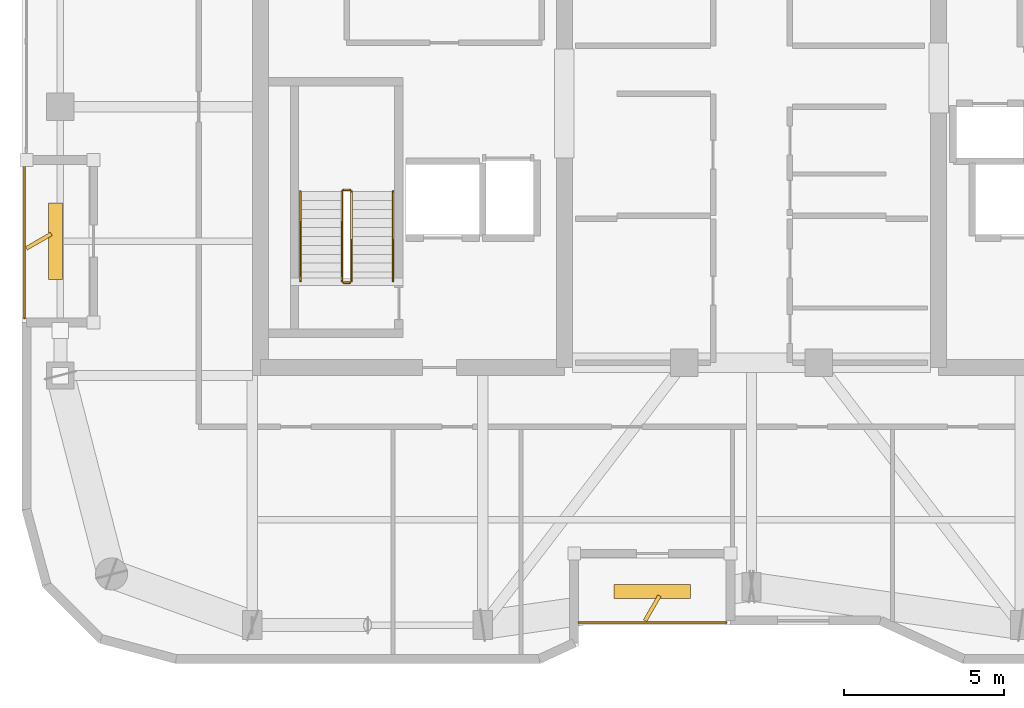
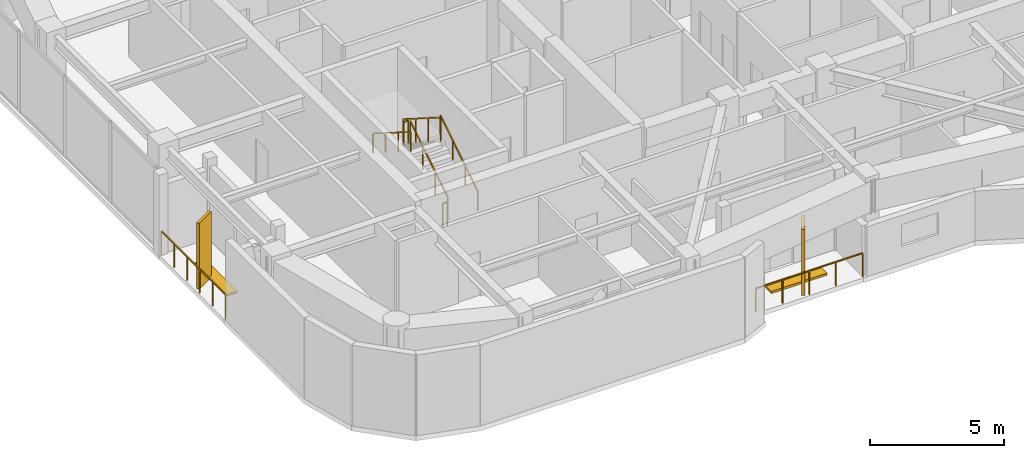
# One storey, part 14 of 15: 8 railings, 4 shading devices.
"""IFC4 building model written with IfcOpenShell, lengths in metres."""

from ifc_helpers import new_model, si_unit, direction, frame, origin, origin_2d, place, context, subcontext, project, spatial, rectangle, extrude, material, type_object, element, save


model = new_model("IFC4")

# Units and contexts
model_context = context("Model", 3, precision=1e-05, world=origin(), true_north=direction((0.0, 1.0)))
body_context = subcontext(model_context, "Body", "Model", "MODEL_VIEW")
ifc_project = project(units=[si_unit("LENGTHUNIT", "METRE"), si_unit("AREAUNIT", "SQUARE_METRE"), si_unit("VOLUMEUNIT", "CUBIC_METRE"), si_unit("PLANEANGLEUNIT", "RADIAN"), si_unit("MASSUNIT", "GRAM", prefix="KILO")], contexts=[model_context])

# Site, building, storey
site_placement = place(None, origin())
site = spatial("IfcSite", under=ifc_project, at=site_placement, CompositionType="ELEMENT")
building_placement = place(site_placement, origin())
building = spatial("IfcBuilding", under=site, at=building_placement, Name="Kiyonajd Concourse Tower", CompositionType="ELEMENT")
storey_placement = place(building_placement, frame((0.0, 0.0, 318.0)))
storey = spatial("IfcBuildingStorey", under=building, at=storey_placement, Name="L80", CompositionType="ELEMENT", Elevation=318.0)

# Railings
ifc_material_1 = material(Name="Thermally Broken Anodised Aluminium", Category="aluminium")
railing_type_1 = type_object("IfcRailingType", Name="RL-GRD-LOG", PredefinedType="GUARDRAIL", material=ifc_material_1)
railing_1_placement = place(storey_placement, frame((42.60009765625, 19.8798828125, 0.0)))
element("IfcRailing", 1, at=railing_1_placement, inside=storey, type_object=railing_type_1, Name="L80 Engawa Loggia Perimeter Guard LOG-S", PredefinedType="GUARDRAIL", context=body_context, shape_type="SweptSolid", body=[
    extrude(rectangle(XDim=0.048095703125, YDim=0.048095703125, at=origin_2d()), frame((0.0, 0.0, 1.076171875), z_axis=(1.0, 0.0, 0.0), x_axis=(0.0, 1.0, 0.0)), (0.0, 0.0, 1.0), 4.599853515625),
    extrude(rectangle(XDim=0.0419921875, YDim=0.0419921875, at=origin_2d()), origin(), (0.0, 0.0, 1.0), 1.052001953125),
    extrude(rectangle(XDim=0.0419921875, YDim=0.0419921875, at=origin_2d()), frame((1.14990234375, 0.0, 0.0)), (0.0, 0.0, 1.0), 1.052001953125),
    extrude(rectangle(XDim=0.0419921875, YDim=0.0419921875, at=origin_2d()), frame((2.2998046875, 0.0, 0.0)), (0.0, 0.0, 1.0), 1.052001953125),
    extrude(rectangle(XDim=0.0419921875, YDim=0.0419921875, at=origin_2d()), frame((3.449951171875, 0.0, 0.0)), (0.0, 0.0, 1.0), 1.052001953125),
    extrude(rectangle(XDim=0.0419921875, YDim=0.0419921875, at=origin_2d()), frame((4.599853515625, 0.0, 0.0)), (0.0, 0.0, 1.0), 1.052001953125),
])
railing_2_placement = place(storey_placement, frame((25.280029296875, 34.199951171875, 0.0)))
element("IfcRailing", 2, at=railing_2_placement, inside=storey, type_object=railing_type_1, Name="L80 Engawa Loggia Perimeter Guard LOG-W", PredefinedType="GUARDRAIL", context=body_context, shape_type="SweptSolid", body=[
    extrude(rectangle(XDim=0.048095703125, YDim=0.048095703125, at=origin_2d()), frame((0.0, 0.0, 1.076171875), z_axis=(0.0, -1.0, 0.0), x_axis=(1.0, 0.0, 0.0)), (0.0, 0.0, 1.0), 4.800048828125),
    extrude(rectangle(XDim=0.0419921875, YDim=0.0419921875, at=origin_2d()), origin(), (0.0, 0.0, 1.0), 1.052001953125),
    extrude(rectangle(XDim=0.0419921875, YDim=0.0419921875, at=origin_2d()), frame((0.0, -0.9599609375, 0.0)), (0.0, 0.0, 1.0), 1.052001953125),
    extrude(rectangle(XDim=0.0419921875, YDim=0.0419921875, at=origin_2d()), frame((0.0, -1.919921875, 0.0)), (0.0, 0.0, 1.0), 1.052001953125),
    extrude(rectangle(XDim=0.0419921875, YDim=0.0419921875, at=origin_2d()), frame((0.0, -2.880126953125, 0.0)), (0.0, 0.0, 1.0), 1.052001953125),
    extrude(rectangle(XDim=0.0419921875, YDim=0.0419921875, at=origin_2d()), frame((0.0, -3.840087890625, 0.0)), (0.0, 0.0, 1.0), 1.052001953125),
    extrude(rectangle(XDim=0.0419921875, YDim=0.0419921875, at=origin_2d()), frame((0.0, -4.800048828125, 0.0)), (0.0, 0.0, 1.0), 1.052001953125),
])
ifc_material_2 = material(Name="Steel ASTM A500 Grade C", Category="steel")
railing_type_2 = type_object("IfcRailingType", Name="RL-GRD-STR", PredefinedType="GUARDRAIL", material=ifc_material_2)
railing_3_placement = place(storey_placement, frame((35.5, 30.550048828125, 0.17724609375)))
element("IfcRailing", 3, at=railing_3_placement, inside=storey, type_object=railing_type_2, Name="L80 ST1 stair guard 1", PredefinedType="GUARDRAIL", context=body_context, shape_type="SweptSolid", body=[
    extrude(rectangle(XDim=0.048095703125, YDim=0.048095703125, at=origin_2d()), frame((0.0, 0.0, 1.076171875), z_axis=(0.0, 0.844908973607, 0.534910110503), x_axis=(-1.0, 0.0, 0.0)), (0.0, 0.0, 1.0), 3.31396484375),
    extrude(rectangle(XDim=0.0419921875, YDim=0.0419921875, at=origin_2d()), origin(), (0.0, 0.0, 1.0), 1.052001953125),
    extrude(rectangle(XDim=0.0419921875, YDim=0.0419921875, at=origin_2d()), frame((0.0, 0.933349609375, 0.5908203125)), (0.0, 0.0, 1.0), 1.052001953125),
    extrude(rectangle(XDim=0.0419921875, YDim=0.0419921875, at=origin_2d()), frame((0.0, 1.86669921875, 1.181884765625)), (0.0, 0.0, 1.0), 1.052001953125),
    extrude(rectangle(XDim=0.0419921875, YDim=0.0419921875, at=origin_2d()), frame((0.0, 2.800048828125, 1.772705078125)), (0.0, 0.0, 1.0), 1.052001953125),
])
railing_4_placement = place(storey_placement, frame((35.449951171875, 33.39990234375, 1.949951171875)))
element("IfcRailing", 4, at=railing_4_placement, inside=storey, type_object=railing_type_2, Name="L80 ST1 stair guard 2", PredefinedType="GUARDRAIL", context=body_context, shape_type="SweptSolid", body=[
    extrude(rectangle(XDim=0.048095703125, YDim=0.048095703125, at=origin_2d()), frame((0.0, 0.0, 1.076171875), z_axis=(-1.0, 0.0, 0.0), x_axis=(0.0, -1.0, 0.0)), (0.0, 0.0, 1.0), 0.199951171875),
    extrude(rectangle(XDim=0.0419921875, YDim=0.0419921875, at=origin_2d()), origin(), (0.0, 0.0, 1.0), 1.052001953125),
    extrude(rectangle(XDim=0.0419921875, YDim=0.0419921875, at=origin_2d()), frame((-0.199951171875, 0.0, 0.0)), (0.0, 0.0, 1.0), 1.052001953125),
])
railing_5_placement = place(storey_placement, frame((35.199951171875, 33.35009765625, 2.127197265625)))
element("IfcRailing", 5, at=railing_5_placement, inside=storey, type_object=railing_type_2, Name="L80 ST1 stair guard 3", PredefinedType="GUARDRAIL", context=body_context, shape_type="SweptSolid", body=[
    extrude(rectangle(XDim=0.048095703125, YDim=0.048095703125, at=origin_2d()), frame((0.0, 0.0, 1.076171875), z_axis=(0.0, -0.844908973607, 0.534910110503), x_axis=(1.0, 0.0, 0.0)), (0.0, 0.0, 1.0), 3.31396484375),
    extrude(rectangle(XDim=0.0419921875, YDim=0.0419921875, at=origin_2d()), origin(), (0.0, 0.0, 1.0), 1.052001953125),
    extrude(rectangle(XDim=0.0419921875, YDim=0.0419921875, at=origin_2d()), frame((0.0, -0.933349609375, 0.5908203125)), (0.0, 0.0, 1.0), 1.052001953125),
    extrude(rectangle(XDim=0.0419921875, YDim=0.0419921875, at=origin_2d()), frame((0.0, -1.86669921875, 1.181884765625)), (0.0, 0.0, 1.0), 1.052001953125),
    extrude(rectangle(XDim=0.0419921875, YDim=0.0419921875, at=origin_2d()), frame((0.0, -2.800048828125, 1.772705078125)), (0.0, 0.0, 1.0), 1.052001953125),
])
railing_6_placement = place(storey_placement, frame((35.449951171875, 30.5, 0.0)))
element("IfcRailing", 6, at=railing_6_placement, inside=storey, type_object=railing_type_2, Name="L80 ST1 stair guard 4", PredefinedType="GUARDRAIL", context=body_context, shape_type="SweptSolid", body=[
    extrude(rectangle(XDim=0.048095703125, YDim=0.048095703125, at=origin_2d()), frame((0.0, 0.0, 1.076171875), z_axis=(-1.0, 0.0, 0.0), x_axis=(0.0, -1.0, 0.0)), (0.0, 0.0, 1.0), 0.199951171875),
    extrude(rectangle(XDim=0.0419921875, YDim=0.0419921875, at=origin_2d()), origin(), (0.0, 0.0, 1.0), 1.052001953125),
    extrude(rectangle(XDim=0.0419921875, YDim=0.0419921875, at=origin_2d()), frame((-0.199951171875, 0.0, 0.0)), (0.0, 0.0, 1.0), 1.052001953125),
])
ifc_material_3 = material(Name="Brushed Stainless Steel Cab Assembly", Category="steel")
railing_type_3 = type_object("IfcRailingType", Name="RL-HND-900", PredefinedType="HANDRAIL", material=ifc_material_3)
railing_7_placement = place(storey_placement, frame((36.800048828125, 30.550048828125, 0.17724609375)))
element("IfcRailing", 7, at=railing_7_placement, inside=storey, type_object=railing_type_3, Name="L80 ST1 stair handrail 1", PredefinedType="HANDRAIL", context=body_context, shape_type="SweptSolid", body=[
    extrude(rectangle(XDim=0.048095703125, YDim=0.048095703125, at=origin_2d()), frame((0.0, 0.0, 0.8759765625), z_axis=(0.0, 0.844908973607, 0.534910110503), x_axis=(-1.0, 0.0, 0.0)), (0.0, 0.0, 1.0), 3.31396484375),
    extrude(rectangle(XDim=0.0419921875, YDim=0.0419921875, at=origin_2d()), origin(), (0.0, 0.0, 1.0), 0.851806640625),
    extrude(rectangle(XDim=0.0419921875, YDim=0.0419921875, at=origin_2d()), frame((0.0, 0.933349609375, 0.5908203125)), (0.0, 0.0, 1.0), 0.851806640625),
    extrude(rectangle(XDim=0.0419921875, YDim=0.0419921875, at=origin_2d()), frame((0.0, 1.86669921875, 1.181884765625)), (0.0, 0.0, 1.0), 0.851806640625),
    extrude(rectangle(XDim=0.0419921875, YDim=0.0419921875, at=origin_2d()), frame((0.0, 2.800048828125, 1.772705078125)), (0.0, 0.0, 1.0), 0.851806640625),
])
railing_8_placement = place(storey_placement, frame((33.89990234375, 33.35009765625, 2.127197265625)))
element("IfcRailing", 8, at=railing_8_placement, inside=storey, type_object=railing_type_3, Name="L80 ST1 stair handrail 2", PredefinedType="HANDRAIL", context=body_context, shape_type="SweptSolid", body=[
    extrude(rectangle(XDim=0.048095703125, YDim=0.048095703125, at=origin_2d()), frame((0.0, 0.0, 0.8759765625), z_axis=(0.0, -0.844908973607, 0.534910110503), x_axis=(1.0, 0.0, 0.0)), (0.0, 0.0, 1.0), 3.31396484375),
    extrude(rectangle(XDim=0.0419921875, YDim=0.0419921875, at=origin_2d()), origin(), (0.0, 0.0, 1.0), 0.851806640625),
    extrude(rectangle(XDim=0.0419921875, YDim=0.0419921875, at=origin_2d()), frame((0.0, -0.933349609375, 0.5908203125)), (0.0, 0.0, 1.0), 0.851806640625),
    extrude(rectangle(XDim=0.0419921875, YDim=0.0419921875, at=origin_2d()), frame((0.0, -1.86669921875, 1.181884765625)), (0.0, 0.0, 1.0), 0.851806640625),
    extrude(rectangle(XDim=0.0419921875, YDim=0.0419921875, at=origin_2d()), frame((0.0, -2.800048828125, 1.772705078125)), (0.0, 0.0, 1.0), 0.851806640625),
])

# Shading devices
ifc_material_4 = material(Name="Precast concrete C50/60", Category="concrete")
shading_device_type_1 = type_object("IfcShadingDeviceType", Name="SH-FIN-900", PredefinedType="USERDEFINED", material=ifc_material_4)
for number, where, z_axis, x_axis, name in (
    (9, (44.89990234375, 20.330078125, 0.0), (0.0, 0.0, 1.0), (0.5, 0.866025403784, 0.0), "L80 Angled Koshi Solar Fin LOG-S"),
    (10, (25.72998046875, 31.800048828125, 0.0), (0.0, 0.0, 1.0), (0.866025403784, 0.5, 0.0), "L80 Angled Koshi Solar Fin LOG-W"),
):
    element("IfcShadingDevice", number, at=place(storey_placement, frame(where, z_axis=z_axis, x_axis=x_axis)), inside=storey, type_object=shading_device_type_1, Name=name, ObjectType="FIN", PredefinedType="USERDEFINED", context=body_context, shape_type="SweptSolid", body=[
        extrude(rectangle(XDim=0.89990234375, YDim=0.1201171875, at=origin_2d()), origin(), (0.0, 0.0, 1.0), 3.0),
    ])
shading_device_type_2 = type_object("IfcShadingDeviceType", Name="SH-LVR-600", PredefinedType="JALOUSIE", material=ifc_material_1)
for number, where, z_axis, x_axis, name in (
    (11, (44.89990234375, 20.85009765625, 0.0), (0.0, 0.0, 1.0), (1.0, 0.0, 0.0), "L80 Loggia Threshold Louver LOG-S"),
    (12, (26.25, 31.800048828125, 0.0), (0.0, 0.0, 1.0), (0.0, 1.0, 0.0), "L80 Loggia Threshold Louver LOG-W"),
):
    element("IfcShadingDevice", number, at=place(storey_placement, frame(where, z_axis=z_axis, x_axis=x_axis)), inside=storey, type_object=shading_device_type_2, Name=name, PredefinedType="JALOUSIE", context=body_context, shape_type="SweptSolid", body=[
        extrude(rectangle(XDim=2.39990234375, YDim=0.449951171875, at=origin_2d()), origin(), (0.0, 0.0, 1.0), 0.10009765625),
    ])

save(model, "model.ifc")
